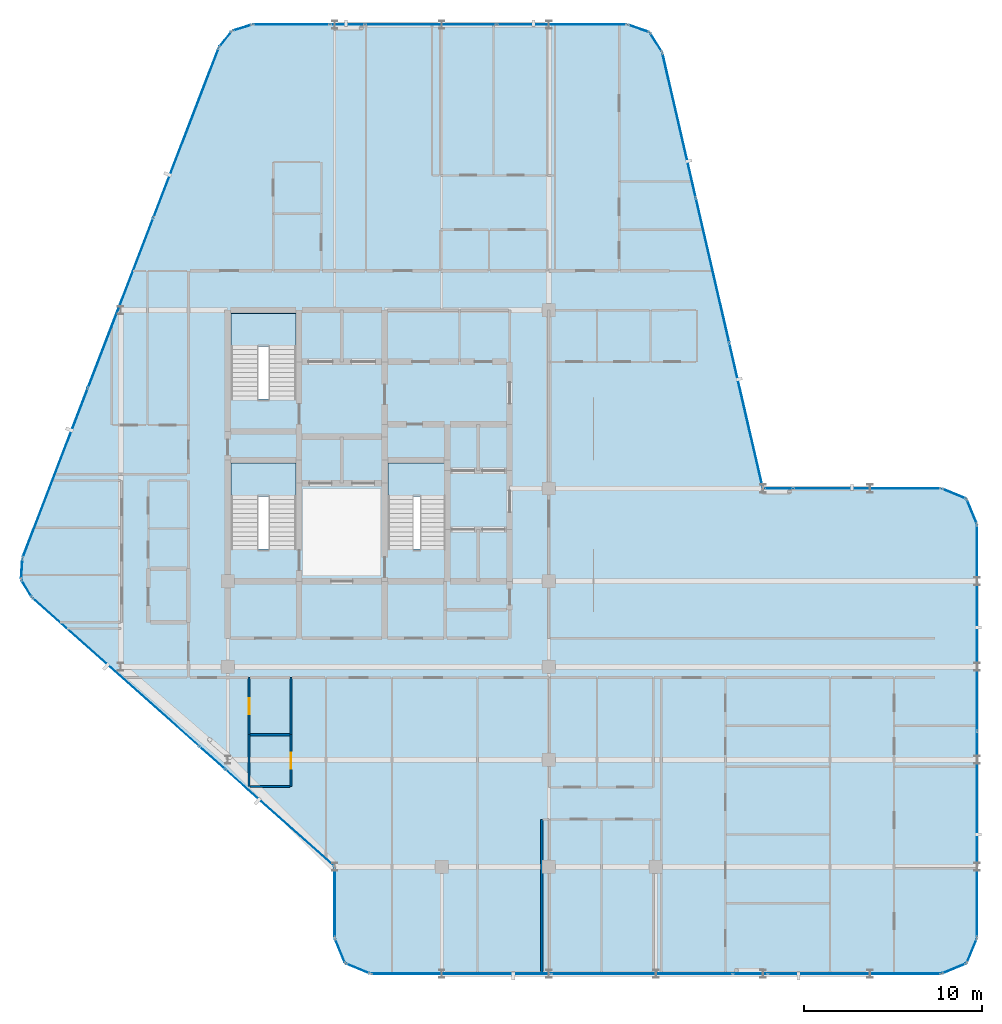
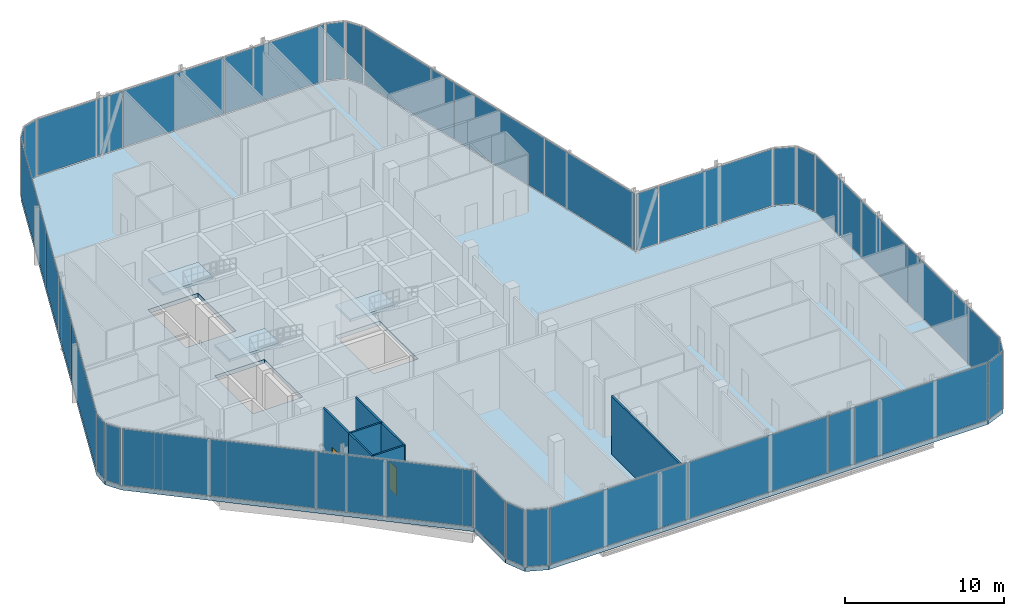
# One storey, part 22 of 29: 34 plates, 7 walls, 4 slabs, 2 doors, 2 openings, 30 elements without a shape of their own.
"""IFC4 building model written with IfcOpenShell, lengths in metres."""

from ifc_helpers import new_model, si_unit, direction, frame, frame_2d, origin, origin_2d, place, context, subcontext, project, spatial, polyline, rectangle, outline, extrude, material, layer, layer_set, type_object, element, fill, aggregate, save


model = new_model("IFC4")

# Units and contexts
model_context = context("Model", 3, precision=1e-05, world=origin(), true_north=direction((0.0, 1.0)))
body_context = subcontext(model_context, "Body", "Model", "MODEL_VIEW")
ifc_project = project(units=[si_unit("LENGTHUNIT", "METRE"), si_unit("AREAUNIT", "SQUARE_METRE"), si_unit("VOLUMEUNIT", "CUBIC_METRE"), si_unit("PLANEANGLEUNIT", "RADIAN"), si_unit("MASSUNIT", "GRAM", prefix="KILO")], contexts=[model_context])

# Site, building, storey
site_placement = place(None, origin())
site = spatial("IfcSite", under=ifc_project, at=site_placement, CompositionType="ELEMENT")
building_placement = place(site_placement, origin())
building = spatial("IfcBuilding", under=site, at=building_placement, Name="Keshet Zoharim Tower", CompositionType="ELEMENT")
storey_placement = place(building_placement, frame((0.0, 0.0, 218.0)))
storey = spatial("IfcBuildingStorey", under=building, at=storey_placement, Name="L54", CompositionType="ELEMENT", Elevation=218.0)

# Curtain wall, plate
ifc_material_1 = material(Name="Aluminium 6063-T6", Category="aluminium")
ifc_layer_1 = layer(ifc_material_1, 0.14990234375)
ifc_layer_set_1 = layer_set([ifc_layer_1], Name="Aluminium 6063-T6")
curtain_wall_type = type_object("IfcCurtainWallType", Name="CW-SYS-04", PredefinedType="NOTDEFINED", material=ifc_layer_set_1)
curtain_wall_1_placement = place(storey_placement, origin())
curtain_wall_1 = element("IfcCurtainWall", 1, at=curtain_wall_1_placement, inside=storey, type_object=curtain_wall_type, Name="L54 Unitised Curtain Wall 01", PredefinedType="NOTDEFINED")
ifc_material_2 = material(Name="Insulated Low-E Clear Glass", Category="glass")
ifc_layer_2 = layer(ifc_material_2, 0.035888671875)
ifc_layer_set_2 = layer_set([ifc_layer_2], Name="Insulated Low-E Clear Glass")
plate_type_1 = type_object("IfcPlateType", Name="CWP-01", PredefinedType="CURTAIN_PANEL", material=ifc_layer_set_2)
plate_1_placement = place(storey_placement, frame((55.70703125, 27.60693359375, 0.070068359375), z_axis=(0.0, 0.0, 1.0), x_axis=(0.92380975372, -0.382851849847, 0.0)))
plate_1 = element("IfcPlate", 2, at=plate_1_placement, type_object=plate_type_1, Name="CW-04 panel 1.1", PredefinedType="CURTAIN_PANEL", context=body_context, shape_type="SweptSolid", body=[
    extrude(rectangle(XDim=1.390625, YDim=0.035888671875, at=origin_2d()), origin(), (0.0, 0.0, 1.0), 4.35009765625),
])
aggregate(curtain_wall_1, [plate_1])

curtain_wall_2_placement = place(storey_placement, origin())
curtain_wall_2 = element("IfcCurtainWall", 3, at=curtain_wall_2_placement, inside=storey, type_object=curtain_wall_type, Name="L54 Unitised Curtain Wall 02", PredefinedType="NOTDEFINED")
plate_2_placement = place(storey_placement, frame((56.70703125, 26.60693359375, 0.070068359375), z_axis=(0.0, 0.0, 1.0), x_axis=(0.382851849847, -0.92380975372, 0.0)))
plate_2 = element("IfcPlate", 4, at=plate_2_placement, type_object=plate_type_1, Name="CW-04 panel 1.1", PredefinedType="CURTAIN_PANEL", context=body_context, shape_type="SweptSolid", body=[
    extrude(rectangle(XDim=1.390625, YDim=0.035888671875, at=origin_2d()), origin(), (0.0, 0.0, 1.0), 4.35009765625),
])
aggregate(curtain_wall_2, [plate_2])

# Curtain wall, plates
curtain_wall_3_placement = place(storey_placement, origin())
curtain_wall_3 = element("IfcCurtainWall", 5, at=curtain_wall_3_placement, inside=storey, type_object=curtain_wall_type, Name="L54 Unitised Curtain Wall 03", PredefinedType="NOTDEFINED")
plate_3_placement = place(storey_placement, frame((57.0, 20.08251953125, 0.070068359375), z_axis=(0.0, 0.0, 1.0), x_axis=(0.0, -1.0, 0.0)))
plate_3 = element("IfcPlate", 6, at=plate_3_placement, type_object=plate_type_1, Name="CW-04 panel 1.1", PredefinedType="CURTAIN_PANEL", context=body_context, shape_type="SweptSolid", body=[
    extrude(rectangle(XDim=11.4951171875, YDim=0.035888671875, at=origin_2d()), origin(), (0.0, 0.0, 1.0), 4.35009765625),
])
plate_4_placement = place(storey_placement, frame((57.0, 8.517578125, 0.070068359375), z_axis=(0.0, 0.0, 1.0), x_axis=(0.0, -1.0, 0.0)))
plate_4 = element("IfcPlate", 7, at=plate_4_placement, type_object=plate_type_1, Name="CW-04 panel 2.1", PredefinedType="CURTAIN_PANEL", context=body_context, shape_type="SweptSolid", body=[
    extrude(rectangle(XDim=11.4951171875, YDim=0.035888671875, at=origin_2d()), origin(), (0.0, 0.0, 1.0), 4.35009765625),
])
aggregate(curtain_wall_3, [plate_3, plate_4])

# Curtain wall, plate
curtain_wall_4_placement = place(storey_placement, origin())
curtain_wall_4 = element("IfcCurtainWall", 8, at=curtain_wall_4_placement, inside=storey, type_object=curtain_wall_type, Name="L54 Unitised Curtain Wall 04", PredefinedType="NOTDEFINED")
plate_5_placement = place(storey_placement, frame((56.70703125, 1.992919921875, 0.070068359375), z_axis=(0.0, 0.0, 1.0), x_axis=(-0.382851849847, -0.92380975372, 0.0)))
plate_5 = element("IfcPlate", 9, at=plate_5_placement, type_object=plate_type_1, Name="CW-04 panel 1.1", PredefinedType="CURTAIN_PANEL", context=body_context, shape_type="SweptSolid", body=[
    extrude(rectangle(XDim=1.390625, YDim=0.035888671875, at=origin_2d()), origin(), (0.0, 0.0, 1.0), 4.35009765625),
])
aggregate(curtain_wall_4, [plate_5])

curtain_wall_5_placement = place(storey_placement, origin())
curtain_wall_5 = element("IfcCurtainWall", 10, at=curtain_wall_5_placement, inside=storey, type_object=curtain_wall_type, Name="L54 Unitised Curtain Wall 05", PredefinedType="NOTDEFINED")
plate_6_placement = place(storey_placement, frame((55.70703125, 0.992919921875, 0.070068359375), z_axis=(0.0, 0.0, 1.0), x_axis=(-0.92380975372, -0.382851849847, 0.0)))
plate_6 = element("IfcPlate", 11, at=plate_6_placement, type_object=plate_type_1, Name="CW-04 panel 1.1", PredefinedType="CURTAIN_PANEL", context=body_context, shape_type="SweptSolid", body=[
    extrude(rectangle(XDim=1.390625, YDim=0.035888671875, at=origin_2d()), origin(), (0.0, 0.0, 1.0), 4.35009765625),
])
aggregate(curtain_wall_5, [plate_6])

curtain_wall_6_placement = place(storey_placement, origin())
curtain_wall_6 = element("IfcCurtainWall", 12, at=curtain_wall_6_placement, inside=storey, type_object=curtain_wall_type, Name="L54 Unitised Curtain Wall 06", PredefinedType="NOTDEFINED")
plate_7_placement = place(storey_placement, frame((50.11474609375, 0.699951171875, 0.070068359375), z_axis=(0.0, 0.0, 1.0), x_axis=(-1.0, 0.0, 0.0)))
plate_7 = element("IfcPlate", 13, at=plate_7_placement, type_object=plate_type_1, Name="CW-04 panel 1.1", PredefinedType="CURTAIN_PANEL", context=body_context, shape_type="SweptSolid", body=[
    extrude(rectangle(XDim=9.630615234375, YDim=0.035888671875, at=origin_2d()), origin(), (0.0, 0.0, 1.0), 4.35009765625),
])
aggregate(curtain_wall_6, [plate_7])

# Curtain wall, plates
curtain_wall_7_placement = place(storey_placement, origin())
curtain_wall_7 = element("IfcCurtainWall", 14, at=curtain_wall_7_placement, inside=storey, type_object=curtain_wall_type, Name="L54 Unitised Curtain Wall 06 Part 3", PredefinedType="NOTDEFINED")
plate_8_placement = place(storey_placement, frame((38.220458984375, 0.699951171875, 0.070068359375), z_axis=(0.0, 0.0, 1.0), x_axis=(-1.0, 0.0, 0.0)))
plate_8 = element("IfcPlate", 15, at=plate_8_placement, type_object=plate_type_1, Name="CW-04 panel 1.1", PredefinedType="CURTAIN_PANEL", context=body_context, shape_type="SweptSolid", body=[
    extrude(rectangle(XDim=10.100341796875, YDim=0.035888671875, at=origin_2d()), origin(), (0.0, 0.0, 1.0), 4.35009765625),
])
plate_9_placement = place(storey_placement, frame((28.085205078125, 0.699951171875, 0.070068359375), z_axis=(0.0, 0.0, 1.0), x_axis=(-1.0, 0.0, 0.0)))
plate_9 = element("IfcPlate", 16, at=plate_9_placement, type_object=plate_type_1, Name="CW-04 panel 2.1", PredefinedType="CURTAIN_PANEL", context=body_context, shape_type="SweptSolid", body=[
    extrude(rectangle(XDim=10.0302734375, YDim=0.035888671875, at=origin_2d()), origin(), (0.0, 0.0, 1.0), 4.35009765625),
])
aggregate(curtain_wall_7, [plate_8, plate_9])

# Curtain wall, plate
curtain_wall_8_placement = place(storey_placement, origin())
curtain_wall_8 = element("IfcCurtainWall", 17, at=curtain_wall_8_placement, inside=storey, type_object=curtain_wall_type, Name="L54 Unitised Curtain Wall 07", PredefinedType="NOTDEFINED")
plate_10_placement = place(storey_placement, frame((22.29296875, 0.992919921875, 0.070068359375), z_axis=(0.0, 0.0, 1.0), x_axis=(-0.92380975372, 0.382851849847, 0.0)))
plate_10 = element("IfcPlate", 18, at=plate_10_placement, type_object=plate_type_1, Name="CW-04 panel 1.1", PredefinedType="CURTAIN_PANEL", context=body_context, shape_type="SweptSolid", body=[
    extrude(rectangle(XDim=1.390625, YDim=0.035888671875, at=origin_2d()), origin(), (0.0, 0.0, 1.0), 4.35009765625),
])
aggregate(curtain_wall_8, [plate_10])

curtain_wall_9_placement = place(storey_placement, origin())
curtain_wall_9 = element("IfcCurtainWall", 19, at=curtain_wall_9_placement, inside=storey, type_object=curtain_wall_type, Name="L54 Unitised Curtain Wall 08", PredefinedType="NOTDEFINED")
plate_11_placement = place(storey_placement, frame((21.29296875, 1.992919921875, 0.070068359375), z_axis=(0.0, 0.0, 1.0), x_axis=(-0.382851849847, 0.92380975372, 0.0)))
plate_11 = element("IfcPlate", 20, at=plate_11_placement, type_object=plate_type_1, Name="CW-04 panel 1.1", PredefinedType="CURTAIN_PANEL", context=body_context, shape_type="SweptSolid", body=[
    extrude(rectangle(XDim=1.390625, YDim=0.035888671875, at=origin_2d()), origin(), (0.0, 0.0, 1.0), 4.35009765625),
])
aggregate(curtain_wall_9, [plate_11])

curtain_wall_10_placement = place(storey_placement, origin())
curtain_wall_10 = element("IfcCurtainWall", 21, at=curtain_wall_10_placement, inside=storey, type_object=curtain_wall_type, Name="L54 Unitised Curtain Wall 09", PredefinedType="NOTDEFINED")
plate_12_placement = place(storey_placement, frame((21.0, 4.699951171875, 0.070068359375), z_axis=(0.0, 0.0, 1.0), x_axis=(0.0, 1.0, 0.0)))
plate_12 = element("IfcPlate", 22, at=plate_12_placement, type_object=plate_type_1, Name="CW-04 panel 1.1", PredefinedType="CURTAIN_PANEL", context=body_context, shape_type="SweptSolid", body=[
    extrude(rectangle(XDim=3.860107421875, YDim=0.035888671875, at=origin_2d()), origin(), (0.0, 0.0, 1.0), 4.35009765625),
])
aggregate(curtain_wall_10, [plate_12])

curtain_wall_11_placement = place(storey_placement, origin())
curtain_wall_11 = element("IfcCurtainWall", 23, at=curtain_wall_11_placement, inside=storey, type_object=curtain_wall_type, Name="L54 Unitised Curtain Wall 10", PredefinedType="NOTDEFINED")
plate_13_placement = place(storey_placement, frame((17.920166015625, 9.4375, 0.070068359375), z_axis=(0.0, 0.0, 1.0), x_axis=(-0.747414674332, 0.664357813677, 0.0)))
plate_13 = element("IfcPlate", 24, at=plate_13_placement, type_object=plate_type_1, Name="CW-04 panel 1.1", PredefinedType="CURTAIN_PANEL", context=body_context, shape_type="SweptSolid", body=[
    extrude(rectangle(XDim=8.101318359375, YDim=0.035888671875, at=origin_2d()), origin(), (0.0, 0.0, 1.0), 4.35009765625),
])
aggregate(curtain_wall_11, [plate_13])

curtain_wall_12_placement = place(storey_placement, origin())
curtain_wall_12 = element("IfcCurtainWall", 25, at=curtain_wall_12_placement, inside=storey, type_object=curtain_wall_type, Name="L54 Unitised Curtain Wall 10 Part 3", PredefinedType="NOTDEFINED")
plate_14_placement = place(storey_placement, frame((8.731689453125, 17.60498046875, 0.070068359375), z_axis=(0.0, 0.0, 1.0), x_axis=(-0.747408877232, 0.664364335462, 0.0)))
plate_14 = element("IfcPlate", 26, at=plate_14_placement, type_object=plate_type_1, Name="CW-04 panel 1.1", PredefinedType="CURTAIN_PANEL", context=body_context, shape_type="SweptSolid", body=[
    extrude(rectangle(XDim=12.42822265625, YDim=0.035888671875, at=origin_2d()), origin(), (0.0, 0.0, 1.0), 4.35009765625),
])
aggregate(curtain_wall_12, [plate_14])

curtain_wall_13_placement = place(storey_placement, origin())
curtain_wall_13 = element("IfcCurtainWall", 27, at=curtain_wall_13_placement, inside=storey, type_object=curtain_wall_type, Name="L54 Unitised Curtain Wall 11", PredefinedType="NOTDEFINED")
plate_15_placement = place(storey_placement, frame((3.7275390625, 22.291015625, 0.070068359375), z_axis=(0.0, 0.0, 1.0), x_axis=(-0.515604947933, 0.856826433805, 0.0)))
plate_15 = element("IfcPlate", 28, at=plate_15_placement, type_object=plate_type_1, Name="CW-04 panel 1.1", PredefinedType="CURTAIN_PANEL", context=body_context, shape_type="SweptSolid", body=[
    extrude(rectangle(XDim=1.052734375, YDim=0.035888671875, at=origin_2d()), origin(), (0.0, 0.0, 1.0), 4.35009765625),
])
aggregate(curtain_wall_13, [plate_15])

curtain_wall_14_placement = place(storey_placement, origin())
curtain_wall_14 = element("IfcCurtainWall", 29, at=curtain_wall_14_placement, inside=storey, type_object=curtain_wall_type, Name="L54 Unitised Curtain Wall 12", PredefinedType="NOTDEFINED")
plate_16_placement = place(storey_placement, frame((3.45849609375, 23.3974609375, 0.070068359375), z_axis=(0.0, 0.0, 1.0), x_axis=(0.064516859374, 0.997916617186, 0.0)))
plate_16 = element("IfcPlate", 30, at=plate_16_placement, type_object=plate_type_1, Name="CW-04 panel 1.1", PredefinedType="CURTAIN_PANEL", context=body_context, shape_type="SweptSolid", body=[
    extrude(rectangle(XDim=1.053466796875, YDim=0.035888671875, at=origin_2d()), origin(), (0.0, 0.0, 1.0), 4.35009765625),
])
aggregate(curtain_wall_14, [plate_16])

# Curtain wall, plates
curtain_wall_15_placement = place(storey_placement, origin())
curtain_wall_15 = element("IfcCurtainWall", 31, at=curtain_wall_15_placement, inside=storey, type_object=curtain_wall_type, Name="L54 Unitised Curtain Wall 13", PredefinedType="NOTDEFINED")
plate_17_placement = place(storey_placement, frame((5.33837890625, 28.7802734375, 0.070068359375), z_axis=(0.0, 0.0, 1.0), x_axis=(0.358990003907, 0.933341404361, 0.0)))
plate_17 = element("IfcPlate", 32, at=plate_17_placement, type_object=plate_type_1, Name="CW-04 panel 1.1", PredefinedType="CURTAIN_PANEL", context=body_context, shape_type="SweptSolid", body=[
    extrude(rectangle(XDim=10.1181640625, YDim=0.035888671875, at=origin_2d()), origin(), (0.0, 0.0, 1.0), 4.35009765625),
])
plate_18_placement = place(storey_placement, frame((9.001953125, 38.305419921875, 0.070068359375), z_axis=(0.0, 0.0, 1.0), x_axis=(0.358990003907, 0.933341404361, 0.0)))
plate_18 = element("IfcPlate", 33, at=plate_18_placement, type_object=plate_type_1, Name="CW-04 panel 2.1", PredefinedType="CURTAIN_PANEL", context=body_context, shape_type="SweptSolid", body=[
    extrude(rectangle(XDim=10.153076171875, YDim=0.035888671875, at=origin_2d()), origin(), (0.0, 0.0, 1.0), 4.35009765625),
])
plate_19_placement = place(storey_placement, frame((12.665771484375, 47.830810546875, 0.070068359375), z_axis=(0.0, 0.0, 1.0), x_axis=(0.358990003907, 0.933341404361, 0.0)))
plate_19 = element("IfcPlate", 34, at=plate_19_placement, type_object=plate_type_1, Name="CW-04 panel 3.1", PredefinedType="CURTAIN_PANEL", context=body_context, shape_type="SweptSolid", body=[
    extrude(rectangle(XDim=10.1181640625, YDim=0.035888671875, at=origin_2d()), origin(), (0.0, 0.0, 1.0), 4.35009765625),
])
aggregate(curtain_wall_15, [plate_17, plate_18, plate_19])

# Curtain wall, plate
curtain_wall_16_placement = place(storey_placement, origin())
curtain_wall_16 = element("IfcCurtainWall", 35, at=curtain_wall_16_placement, inside=storey, type_object=curtain_wall_type, Name="L54 Unitised Curtain Wall 14", PredefinedType="NOTDEFINED")
plate_20_placement = place(storey_placement, frame((14.8740234375, 53.08349609375, 0.070068359375), z_axis=(0.0, 0.0, 1.0), x_axis=(0.619124525989, 0.785292825205, 0.0)))
plate_20 = element("IfcPlate", 36, at=plate_20_placement, type_object=plate_type_1, Name="CW-04 panel 1.1", PredefinedType="CURTAIN_PANEL", context=body_context, shape_type="SweptSolid", body=[
    extrude(rectangle(XDim=1.045654296875, YDim=0.035888671875, at=origin_2d()), origin(), (0.0, 0.0, 1.0), 4.35009765625),
])
aggregate(curtain_wall_16, [plate_20])

curtain_wall_17_placement = place(storey_placement, origin())
curtain_wall_17 = element("IfcCurtainWall", 37, at=curtain_wall_17_placement, inside=storey, type_object=curtain_wall_type, Name="L54 Unitised Curtain Wall 15", PredefinedType="NOTDEFINED")
plate_21_placement = place(storey_placement, frame((15.8076171875, 53.724609375, 0.070068359375), z_axis=(0.0, 0.0, 1.0), x_axis=(0.955212151288, 0.295921857984, 0.0)))
plate_21 = element("IfcPlate", 38, at=plate_21_placement, type_object=plate_type_1, Name="CW-04 panel 1.1", PredefinedType="CURTAIN_PANEL", context=body_context, shape_type="SweptSolid", body=[
    extrude(rectangle(XDim=1.046142578125, YDim=0.035888671875, at=origin_2d()), origin(), (0.0, 0.0, 1.0), 4.35009765625),
])
aggregate(curtain_wall_17, [plate_21])

curtain_wall_18_placement = place(storey_placement, origin())
curtain_wall_18 = element("IfcCurtainWall", 39, at=curtain_wall_18_placement, inside=storey, type_object=curtain_wall_type, Name="L54 Unitised Curtain Wall 16", PredefinedType="NOTDEFINED")
plate_22_placement = place(storey_placement, frame((18.572265625, 53.89990234375, 0.070068359375), z_axis=(0.0, 0.0, 1.0), x_axis=(1.0, 0.0, 0.0)))
plate_22 = element("IfcPlate", 40, at=plate_22_placement, type_object=plate_type_1, Name="CW-04 panel 1.1", PredefinedType="CURTAIN_PANEL", context=body_context, shape_type="SweptSolid", body=[
    extrude(rectangle(XDim=4.256591796875, YDim=0.035888671875, at=origin_2d()), origin(), (0.0, 0.0, 1.0), 4.35009765625),
])
aggregate(curtain_wall_18, [plate_22])

# Curtain wall, plates
curtain_wall_19_placement = place(storey_placement, origin())
curtain_wall_19 = element("IfcCurtainWall", 41, at=curtain_wall_19_placement, inside=storey, type_object=curtain_wall_type, Name="L54 Unitised Curtain Wall 16 Part 3", PredefinedType="NOTDEFINED")
plate_23_placement = place(storey_placement, frame((26.3818359375, 53.89990234375, 0.070068359375), z_axis=(0.0, 0.0, 1.0), x_axis=(1.0, 0.0, 0.0)))
plate_23 = element("IfcPlate", 42, at=plate_23_placement, type_object=plate_type_1, Name="CW-04 panel 1.1", PredefinedType="CURTAIN_PANEL", context=body_context, shape_type="SweptSolid", body=[
    extrude(rectangle(XDim=7.3046875, YDim=0.035888671875, at=origin_2d()), origin(), (0.0, 0.0, 1.0), 4.35009765625),
])
plate_24_placement = place(storey_placement, frame((33.7216796875, 53.89990234375, 0.070068359375), z_axis=(0.0, 0.0, 1.0), x_axis=(1.0, 0.0, 0.0)))
plate_24 = element("IfcPlate", 43, at=plate_24_placement, type_object=plate_type_1, Name="CW-04 panel 2.1", PredefinedType="CURTAIN_PANEL", context=body_context, shape_type="SweptSolid", body=[
    extrude(rectangle(XDim=7.23486328125, YDim=0.035888671875, at=origin_2d()), origin(), (0.0, 0.0, 1.0), 4.35009765625),
])
aggregate(curtain_wall_19, [plate_23, plate_24])

# Curtain wall, plate
curtain_wall_20_placement = place(storey_placement, origin())
curtain_wall_20 = element("IfcCurtainWall", 44, at=curtain_wall_20_placement, inside=storey, type_object=curtain_wall_type, Name="L54 Unitised Curtain Wall 17", PredefinedType="NOTDEFINED")
plate_25_placement = place(storey_placement, frame((38.031494140625, 53.6826171875, 0.070068359375), z_axis=(0.0, 0.0, 1.0), x_axis=(0.944035542119, -0.329843743636, 0.0)))
plate_25 = element("IfcPlate", 45, at=plate_25_placement, type_object=plate_type_1, Name="CW-04 panel 1.1", PredefinedType="CURTAIN_PANEL", context=body_context, shape_type="SweptSolid", body=[
    extrude(rectangle(XDim=1.1787109375, YDim=0.035888671875, at=origin_2d()), origin(), (0.0, 0.0, 1.0), 4.35009765625),
])
aggregate(curtain_wall_20, [plate_25])

curtain_wall_21_placement = place(storey_placement, origin())
curtain_wall_21 = element("IfcCurtainWall", 46, at=curtain_wall_21_placement, inside=storey, type_object=curtain_wall_type, Name="L54 Unitised Curtain Wall 18", PredefinedType="NOTDEFINED")
plate_26_placement = place(storey_placement, frame((39.006103515625, 52.907470703125, 0.070068359375), z_axis=(0.0, 0.0, 1.0), x_axis=(0.533878858502, -0.845560976183, 0.0)))
plate_26 = element("IfcPlate", 47, at=plate_26_placement, type_object=plate_type_1, Name="CW-04 panel 1.1", PredefinedType="CURTAIN_PANEL", context=body_context, shape_type="SweptSolid", body=[
    extrude(rectangle(XDim=1.1787109375, YDim=0.035888671875, at=origin_2d()), origin(), (0.0, 0.0, 1.0), 4.35009765625),
])
aggregate(curtain_wall_21, [plate_26])

# Curtain wall, plates
curtain_wall_22_placement = place(storey_placement, origin())
curtain_wall_22 = element("IfcCurtainWall", 48, at=curtain_wall_22_placement, inside=storey, type_object=curtain_wall_type, Name="L54 Unitised Curtain Wall 19", PredefinedType="NOTDEFINED")
plate_27_placement = place(storey_placement, frame((40.30224609375, 48.258056640625, 0.070068359375), z_axis=(0.0, 0.0, 1.0), x_axis=(0.224847864369, -0.974393882313, 0.0)))
plate_27 = element("IfcPlate", 49, at=plate_27_placement, type_object=plate_type_1, Name="CW-04 panel 1.1", PredefinedType="CURTAIN_PANEL", context=body_context, shape_type="SweptSolid", body=[
    extrude(rectangle(XDim=8.25927734375, YDim=0.035888671875, at=origin_2d()), origin(), (0.0, 0.0, 1.0), 4.35009765625),
])
plate_28_placement = place(storey_placement, frame((42.178955078125, 40.125, 0.070068359375), z_axis=(0.0, 0.0, 1.0), x_axis=(0.224847864369, -0.974393882313, 0.0)))
plate_28 = element("IfcPlate", 50, at=plate_28_placement, type_object=plate_type_1, Name="CW-04 panel 2.1", PredefinedType="CURTAIN_PANEL", context=body_context, shape_type="SweptSolid", body=[
    extrude(rectangle(XDim=8.294189453125, YDim=0.035888671875, at=origin_2d()), origin(), (0.0, 0.0, 1.0), 4.35009765625),
])
plate_29_placement = place(storey_placement, frame((44.0556640625, 31.991943359375, 0.070068359375), z_axis=(0.0, 0.0, 1.0), x_axis=(0.224847864369, -0.974393882313, 0.0)))
plate_29 = element("IfcPlate", 51, at=plate_29_placement, type_object=plate_type_1, Name="CW-04 panel 3.1", PredefinedType="CURTAIN_PANEL", context=body_context, shape_type="SweptSolid", body=[
    extrude(rectangle(XDim=8.25927734375, YDim=0.035888671875, at=origin_2d()), origin(), (0.0, 0.0, 1.0), 4.35009765625),
])
aggregate(curtain_wall_22, [plate_27, plate_28, plate_29])

# Curtain wall, plate
curtain_wall_23_placement = place(storey_placement, origin())
curtain_wall_23 = element("IfcCurtainWall", 52, at=curtain_wall_23_placement, inside=storey, type_object=curtain_wall_type, Name="L54 Unitised Curtain Wall 20 Part 2", PredefinedType="NOTDEFINED")
plate_30_placement = place(storey_placement, frame((50.829833984375, 27.89990234375, 0.070068359375), z_axis=(0.0, 0.0, 1.0), x_axis=(1.0, 0.0, 0.0)))
plate_30 = element("IfcPlate", 53, at=plate_30_placement, type_object=plate_type_1, Name="CW-04 panel 1.1", PredefinedType="CURTAIN_PANEL", context=body_context, shape_type="SweptSolid", body=[
    extrude(rectangle(XDim=8.200439453125, YDim=0.035888671875, at=origin_2d()), origin(), (0.0, 0.0, 1.0), 4.35009765625),
])
aggregate(curtain_wall_23, [plate_30])

curtain_wall_24_placement = place(storey_placement, origin())
curtain_wall_24 = element("IfcCurtainWall", 54, at=curtain_wall_24_placement, inside=storey, type_object=curtain_wall_type, Name="L54 Unitised Curtain Wall 06 Part 2", PredefinedType="NOTDEFINED")
ifc_material_3 = material(Name="Insulated Aluminium Spandrel Panel", Category="aluminium")
ifc_layer_3 = layer(ifc_material_3, 0.035888671875)
ifc_layer_set_3 = layer_set([ifc_layer_3], Name="Insulated Aluminium Spandrel Panel")
plate_type_2 = type_object("IfcPlateType", Name="CWP-04", PredefinedType="CURTAIN_PANEL", material=ifc_layer_set_3)
plate_31_placement = place(storey_placement, frame((44.284912109375, 0.699951171875, 0.070068359375), z_axis=(0.0, 0.0, 1.0), x_axis=(-1.0, 0.0, 0.0)))
plate_31 = element("IfcPlate", 55, at=plate_31_placement, type_object=plate_type_2, Name="CW-04 spandrel panel 1.1", PredefinedType="CURTAIN_PANEL", context=body_context, shape_type="SweptSolid", body=[
    extrude(rectangle(XDim=1.888916015625, YDim=0.035888671875, at=origin_2d()), origin(), (0.0, 0.0, 1.0), 4.35009765625),
])
aggregate(curtain_wall_24, [plate_31])

curtain_wall_25_placement = place(storey_placement, origin())
curtain_wall_25 = element("IfcCurtainWall", 56, at=curtain_wall_25_placement, inside=storey, type_object=curtain_wall_type, Name="L54 Unitised Curtain Wall 10 Part 2", PredefinedType="NOTDEFINED")
plate_32_placement = place(storey_placement, frame((14.134521484375, 12.802734375, 0.070068359375), z_axis=(0.0, 0.0, 1.0), x_axis=(-0.747389603379, 0.664386017885, 0.0)))
plate_32 = element("IfcPlate", 57, at=plate_32_placement, type_object=plate_type_2, Name="CW-04 spandrel panel 1.1", PredefinedType="CURTAIN_PANEL", context=body_context, shape_type="SweptSolid", body=[
    extrude(rectangle(XDim=1.888916015625, YDim=0.035888671875, at=origin_2d()), origin(), (0.0, 0.0, 1.0), 4.35009765625),
])
aggregate(curtain_wall_25, [plate_32])

curtain_wall_26_placement = place(storey_placement, origin())
curtain_wall_26 = element("IfcCurtainWall", 58, at=curtain_wall_26_placement, inside=storey, type_object=curtain_wall_type, Name="L54 Unitised Curtain Wall 16 Part 2", PredefinedType="NOTDEFINED")
plate_33_placement = place(storey_placement, frame((21.715087890625, 53.89990234375, 0.070068359375), z_axis=(0.0, 0.0, 1.0), x_axis=(1.0, 0.0, 0.0)))
plate_33 = element("IfcPlate", 59, at=plate_33_placement, type_object=plate_type_2, Name="CW-04 spandrel panel 1.1", PredefinedType="CURTAIN_PANEL", context=body_context, shape_type="SweptSolid", body=[
    extrude(rectangle(XDim=1.888916015625, YDim=0.035888671875, at=origin_2d()), origin(), (0.0, 0.0, 1.0), 4.35009765625),
])
aggregate(curtain_wall_26, [plate_33])

curtain_wall_27_placement = place(storey_placement, origin())
curtain_wall_27 = element("IfcCurtainWall", 60, at=curtain_wall_27_placement, inside=storey, type_object=curtain_wall_type, Name="L54 Unitised Curtain Wall 20", PredefinedType="NOTDEFINED")
plate_34_placement = place(storey_placement, frame((45.86474609375, 27.89990234375, 0.070068359375), z_axis=(0.0, 0.0, 1.0), x_axis=(1.0, 0.0, 0.0)))
plate_34 = element("IfcPlate", 61, at=plate_34_placement, type_object=plate_type_2, Name="CW-04 spandrel panel 1.1", PredefinedType="CURTAIN_PANEL", context=body_context, shape_type="SweptSolid", body=[
    extrude(rectangle(XDim=1.589599609375, YDim=0.035888671875, at=origin_2d()), origin(), (0.0, 0.0, 1.0), 4.35009765625),
])
aggregate(curtain_wall_27, [plate_34])

# Slab
ifc_material_4 = material(Name="Concrete C50/60", Category="concrete")
ifc_layer_4 = layer(ifc_material_4, 0.320068359375)
ifc_layer_set_4 = layer_set([ifc_layer_4], Name="Concrete C50/60")
slab_type_1 = type_object("IfcSlabType", Name="SLB-COM-320", PredefinedType="FLOOR", material=ifc_layer_set_4)
slab_1_placement = place(storey_placement, frame((0.0, 0.0, -0.320068359375)))
element("IfcSlab", 62, at=slab_1_placement, inside=storey, type_object=slab_type_1, Name="L54 Structural Floor Slab 1", PredefinedType="FLOOR", context=body_context, shape_type="SweptSolid", body=[
    extrude(outline(polyline([(55.0, 27.89990234375), (56.4140625, 27.31396484375), (57.0, 25.89990234375), (57.0, 2.699951171875), (56.4140625, 1.285888671875), (55.0, 0.699951171875), (23.0, 0.699951171875), (21.5859375, 1.285888671875), (21.0, 2.699951171875), (21.0, 6.699951171875), (4.034912109375, 21.780029296875), (3.419921875, 22.802001953125), (3.4970703125, 23.992919921875), (14.507080078125, 52.617919921875), (15.240966796875, 53.549072265625), (16.3740234375, 53.89990234375), (37.408935546875, 53.89990234375), (38.654052734375, 53.465087890625), (39.35791015625, 52.35009765625), (45.0, 27.89990234375), (55.0, 27.89990234375)]), holes=[polyline([(15.179931640625, 24.52001953125), (18.820068359375, 24.52001953125), (18.820068359375, 29.320068359375), (15.179931640625, 29.320068359375), (15.179931640625, 24.52001953125)]), polyline([(15.179931640625, 32.919921875), (18.820068359375, 32.919921875), (18.820068359375, 37.719970703125), (15.179931640625, 37.719970703125), (15.179931640625, 32.919921875)]), polyline([(23.97998046875, 24.52001953125), (27.219970703125, 24.52001953125), (27.219970703125, 29.320068359375), (23.97998046875, 29.320068359375), (23.97998046875, 24.52001953125)])]), origin(), (0.0, 0.0, 1.0), 0.320068359375),
])

# Stair, slab
stair_type = type_object("IfcStairType", Name="STR-EXIT-135", PredefinedType="HALF_TURN_STAIR", material=ifc_material_4)
stair_1_placement = place(storey_placement, origin())
stair_1 = element("IfcStair", 63, at=stair_1_placement, inside=storey, type_object=stair_type, Name="L54 Enclosed Exit Stair ST-01", PredefinedType="HALF_TURN_STAIR")
ifc_layer_5 = layer(ifc_material_4, 0.199951171875)
ifc_layer_set_5 = layer_set([ifc_layer_5], Name="Concrete C50/60")
slab_type_2 = type_object("IfcSlabType", Name="SLB-LND-200", PredefinedType="LANDING", material=ifc_layer_set_5)
slab_2_placement = place(storey_placement, frame((0.0, 0.0, 2.199951171875)))
slab_2 = element("IfcSlab", 64, at=slab_2_placement, type_object=slab_type_2, Name="ST-01 landing 1", PredefinedType="LANDING", context=body_context, shape_type="SweptSolid", body=[
    extrude(outline(polyline([(15.179931640625, 27.4560546875), (18.820068359375, 27.4560546875), (18.820068359375, 29.320068359375), (15.179931640625, 29.320068359375), (15.179931640625, 27.4560546875)])), origin(), (0.0, 0.0, 1.0), 0.199951171875),
])
aggregate(stair_1, [slab_2])

stair_2_placement = place(storey_placement, origin())
stair_2 = element("IfcStair", 65, at=stair_2_placement, inside=storey, type_object=stair_type, Name="L54 Enclosed Exit Stair ST-02", PredefinedType="HALF_TURN_STAIR")
slab_3_placement = place(storey_placement, frame((0.0, 0.0, 2.199951171875)))
slab_3 = element("IfcSlab", 66, at=slab_3_placement, type_object=slab_type_2, Name="ST-02 landing 1", PredefinedType="LANDING", context=body_context, shape_type="SweptSolid", body=[
    extrude(outline(polyline([(15.179931640625, 35.85595703125), (18.820068359375, 35.85595703125), (18.820068359375, 37.719970703125), (15.179931640625, 37.719970703125), (15.179931640625, 35.85595703125)])), origin(), (0.0, 0.0, 1.0), 0.199951171875),
])
aggregate(stair_2, [slab_3])

stair_3_placement = place(storey_placement, origin())
stair_3 = element("IfcStair", 67, at=stair_3_placement, inside=storey, type_object=stair_type, Name="L54 Enclosed Exit Stair ST-03", PredefinedType="HALF_TURN_STAIR")
slab_4_placement = place(storey_placement, frame((0.0, 0.0, 2.199951171875)))
slab_4 = element("IfcSlab", 68, at=slab_4_placement, type_object=slab_type_2, Name="ST-03 landing 1", PredefinedType="LANDING", context=body_context, shape_type="SweptSolid", body=[
    extrude(outline(polyline([(23.97998046875, 27.4560546875), (27.219970703125, 27.4560546875), (27.219970703125, 29.320068359375), (23.97998046875, 29.320068359375), (23.97998046875, 27.4560546875)])), origin(), (0.0, 0.0, 1.0), 0.199951171875),
])
aggregate(stair_3, [slab_4])

# Wall, opening, door
ifc_material_5 = material(Name="Gypsum Plasterboard", Category="gypsum")
ifc_layer_6 = layer(ifc_material_5, 0.1201171875)
ifc_layer_set_6 = layer_set([ifc_layer_6], Name="Gypsum Plasterboard")
wall_type_1 = type_object("IfcWallType", Name="WL-PART-120", PredefinedType="PARTITIONING", material=ifc_layer_set_6)
wall_1_placement = place(storey_placement, frame((16.199951171875, 14.10009765625, 0.0), z_axis=(0.0, 0.0, 1.0), x_axis=(0.0, 1.0, 0.0)))
wall_1 = element("IfcWall", 69, at=wall_1_placement, inside=storey, type_object=wall_type_1, Name="L54 Interior Wall 018", PredefinedType="PARTITIONING", context=body_context, shape_type="SweptSolid", body=[
    extrude(rectangle(XDim=3.199951171875, YDim=0.1201171875, at=frame_2d((1.60009765625, 0.0))), origin(), (0.0, 0.0, 1.0), 4.489990234375),
])
opening_1_placement = place(wall_1_placement, frame((1.14990234375, 0.0, 0.0)))
opening_1 = element("IfcOpeningElement", 70, at=opening_1_placement, cuts=wall_1, Name="Opening D-IN90", PredefinedType="OPENING", context=body_context, shape_type="SweptSolid", body=[
    extrude(rectangle(XDim=0.89990234375, YDim=2.14990234375, at=frame_2d((0.449951171875, 1.074951171875))), frame((0.0, 0.070068359375, 0.0), z_axis=(0.0, -1.0, 0.0), x_axis=(1.0, 0.0, 0.0)), (0.0, 0.0, 1.0), 0.14013671875),
])
ifc_material_6 = material(Name="Hardwood Timber", Category="wood")
door_type_1 = type_object("IfcDoorType", Name="DR-INT-090", OperationType="NOTDEFINED", PredefinedType="DOOR", material=ifc_material_6)
door_1_placement = place(opening_1_placement, origin())
door_1 = element("IfcDoor", 71, at=door_1_placement, inside=storey, type_object=door_type_1, Name="Apartment 5401 Kitchenette Door", OperationType="SINGLE_SWING_LEFT", OverallHeight=2.14990234375, OverallWidth=0.89990234375, PredefinedType="DOOR", context=body_context, shape_type="SweptSolid", body=[
    extrude(rectangle(XDim=0.89990234375, YDim=2.14990234375, at=frame_2d((0.449951171875, 1.074951171875))), frame((0.0, 0.02490234375, 0.0), z_axis=(0.0, -1.0, 0.0), x_axis=(1.0, 0.0, 0.0)), (0.0, 0.0, 1.0), 0.050048828125),
])
fill(opening_1, door_1)

# Walls
wall_2_placement = place(storey_placement, frame((18.550048828125, 14.10009765625, 0.0), z_axis=(0.0, 0.0, 1.0), x_axis=(0.0, 1.0, 0.0)))
element("IfcWall", 72, at=wall_2_placement, inside=storey, type_object=wall_type_1, Name="L54 Interior Wall 022", PredefinedType="PARTITIONING", context=body_context, shape_type="SweptSolid", body=[
    extrude(rectangle(XDim=3.199951171875, YDim=0.1201171875, at=frame_2d((1.60009765625, 0.0))), origin(), (0.0, 0.0, 1.0), 4.489990234375),
])
wall_3_placement = place(storey_placement, frame((32.60009765625, 0.7099609375, 0.0), z_axis=(0.0, 0.0, 1.0), x_axis=(0.0, 1.0, 0.0)))
element("IfcWall", 73, at=wall_3_placement, inside=storey, type_object=wall_type_1, Name="L54 Interior Wall 064", PredefinedType="PARTITIONING", context=body_context, shape_type="SweptSolid", body=[
    extrude(rectangle(XDim=8.64013671875, YDim=0.1201171875, at=frame_2d((4.320068359375, 0.0))), origin(), (0.0, 0.0, 1.0), 4.489990234375),
])
ifc_layer_7 = layer(ifc_material_5, 0.1201171875)
ifc_layer_set_7 = layer_set([ifc_layer_7], Name="Gypsum Plasterboard")
wall_type_2 = type_object("IfcWallType", Name="WL-WET-120", PredefinedType="PARTITIONING", material=ifc_layer_set_7)
wall_4_placement = place(storey_placement, frame((16.199951171875, 11.199951171875, 0.0), z_axis=(0.0, 0.0, 1.0), x_axis=(0.0, 1.0, 0.0)))
element("IfcWall", 74, at=wall_4_placement, inside=storey, type_object=wall_type_2, Name="L54 Interior Wall 017", PredefinedType="PARTITIONING", context=body_context, shape_type="SweptSolid", body=[
    extrude(rectangle(XDim=2.900146484375, YDim=0.1201171875, at=frame_2d((1.4501953125, 0.0))), origin(), (0.0, 0.0, 1.0), 4.489990234375),
])

# Wall, opening, door
wall_5_placement = place(storey_placement, frame((18.550048828125, 11.199951171875, 0.0), z_axis=(0.0, 0.0, 1.0), x_axis=(0.0, 1.0, 0.0)))
wall_5 = element("IfcWall", 75, at=wall_5_placement, inside=storey, type_object=wall_type_2, Name="L54 Interior Wall 021", PredefinedType="PARTITIONING", context=body_context, shape_type="SweptSolid", body=[
    extrude(rectangle(XDim=2.900146484375, YDim=0.1201171875, at=frame_2d((1.4501953125, 0.0))), origin(), (0.0, 0.0, 1.0), 4.489990234375),
])
opening_2_placement = place(wall_5_placement, frame((1.0, 0.0, 0.0)))
opening_2 = element("IfcOpeningElement", 76, at=opening_2_placement, cuts=wall_5, Name="Opening D-WT90", PredefinedType="OPENING", context=body_context, shape_type="SweptSolid", body=[
    extrude(rectangle(XDim=0.89990234375, YDim=2.10009765625, at=frame_2d((0.449951171875, 1.050048828125))), frame((0.0, 0.070068359375, 0.0), z_axis=(0.0, -1.0, 0.0), x_axis=(1.0, 0.0, 0.0)), (0.0, 0.0, 1.0), 0.14013671875),
])
door_type_2 = type_object("IfcDoorType", Name="DR-WET-090", OperationType="NOTDEFINED", PredefinedType="DOOR", material=ifc_material_6)
door_2_placement = place(opening_2_placement, origin())
door_2 = element("IfcDoor", 77, at=door_2_placement, inside=storey, type_object=door_type_2, Name="Apartment 5401 Bathroom Door", OperationType="SINGLE_SWING_LEFT", OverallHeight=2.10009765625, OverallWidth=0.89990234375, PredefinedType="DOOR", context=body_context, shape_type="SweptSolid", body=[
    extrude(rectangle(XDim=0.89990234375, YDim=2.10009765625, at=frame_2d((0.449951171875, 1.050048828125))), frame((0.0, 0.02490234375, 0.0), z_axis=(0.0, -1.0, 0.0), x_axis=(1.0, 0.0, 0.0)), (0.0, 0.0, 1.0), 0.050048828125),
])
fill(opening_2, door_2)

# Walls
for number, where, z_axis, x_axis, name in (
    (78, (16.2451171875, 11.199951171875, 0.0), (0.0, 0.0, 1.0), (1.0, 0.0, 0.0), "L54 Interior Wall 100"),
    (79, (16.2451171875, 14.10009765625, 0.0), (0.0, 0.0, 1.0), (1.0, 0.0, 0.0), "L54 Interior Wall 103"),
):
    element("IfcWall", number, at=place(storey_placement, frame(where, z_axis=z_axis, x_axis=x_axis)), inside=storey, type_object=wall_type_2, Name=name, PredefinedType="PARTITIONING", context=body_context, shape_type="SweptSolid", body=[
        extrude(rectangle(XDim=2.259765625, YDim=0.1201171875, at=frame_2d((1.1298828125, 0.0))), origin(), (0.0, 0.0, 1.0), 4.489990234375),
    ])

save(model, "model.ifc")
